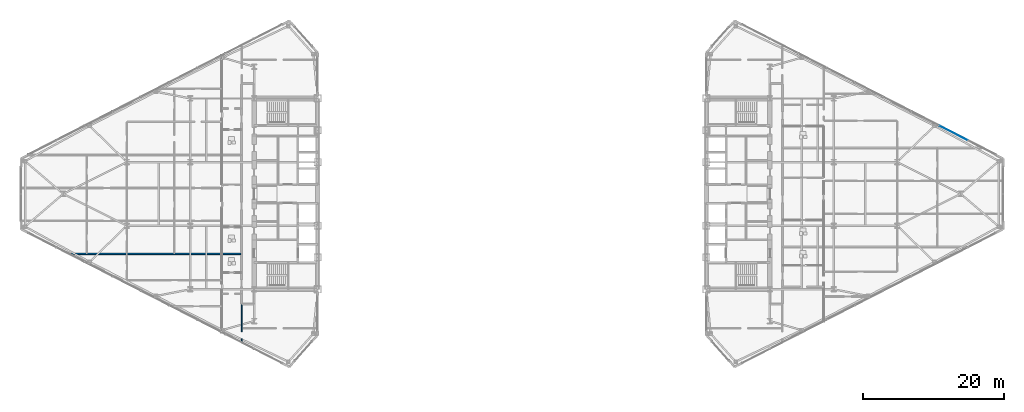
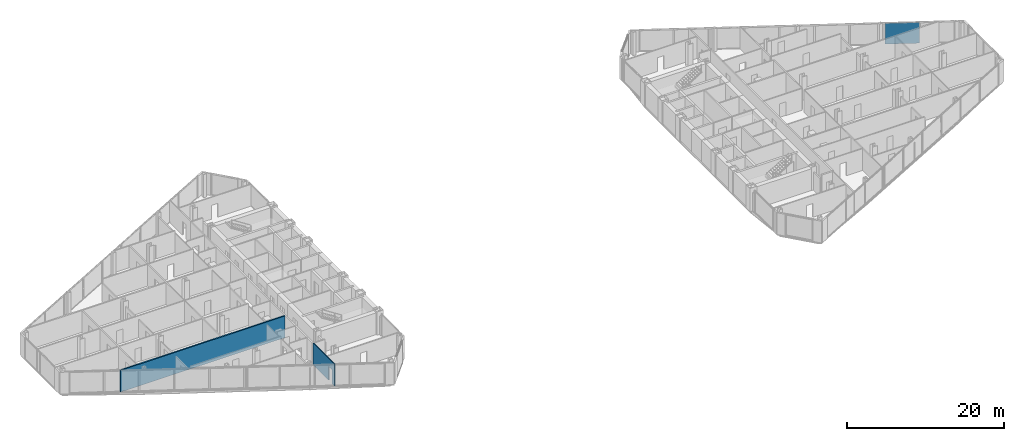
# One storey, part 15 of 24: 2 walls, 1 plate, 1 opening, 1 element without a shape of its own.
"""IFC4 building model written with IfcOpenShell, lengths in metres."""

from ifc_helpers import new_model, si_unit, direction, frame, frame_2d, origin, origin_2d, place, context, subcontext, project, spatial, rectangle, extrude, source, transform, mapped, material, layer, layer_set, type_object, type_shapes, element, aggregate, save


model = new_model("IFC4")

# Units and contexts
model_context = context("Model", 3, precision=1e-05, world=origin(), true_north=direction((0.0, 1.0)))
body_context = subcontext(model_context, "Body", "Model", "MODEL_VIEW")
ifc_project = project(units=[si_unit("LENGTHUNIT", "METRE"), si_unit("AREAUNIT", "SQUARE_METRE"), si_unit("VOLUMEUNIT", "CUBIC_METRE"), si_unit("PLANEANGLEUNIT", "RADIAN"), si_unit("MASSUNIT", "GRAM", prefix="KILO")], contexts=[model_context])

# Site, building, storey
site_placement = place(None, origin())
site = spatial("IfcSite", under=ifc_project, at=site_placement, CompositionType="ELEMENT")
building_placement = place(site_placement, origin())
building = spatial("IfcBuilding", under=site, at=building_placement, Name="Seokmaru Belvedere", CompositionType="ELEMENT")
storey_placement = place(building_placement, frame((0.0, 0.0, 114.0)))
storey = spatial("IfcBuildingStorey", under=building, at=storey_placement, Name="L30", CompositionType="ELEMENT", Elevation=114.0)

# Curtain wall, plate
ifc_material_1 = material(Name="Bronze Triple Insulating Glass", Category="glass")
ifc_layer_1 = layer(ifc_material_1, 0.195068359375)
ifc_layer_set_1 = layer_set([ifc_layer_1], Name="Bronze Triple Insulating Glass")
curtain_wall_type = type_object("IfcCurtainWallType", Name="Sky-Lobby and Mid-Rise Curtain Wall System CW-4", PredefinedType="NOTDEFINED", material=ifc_layer_set_1)
curtain_wall_placement = place(storey_placement, origin())
curtain_wall = element("IfcCurtainWall", 1, at=curtain_wall_placement, inside=storey, type_object=curtain_wall_type, Name="L30 Curtain Wall EF3", PredefinedType="NOTDEFINED")
ifc_layer_2 = layer(ifc_material_1, 0.035888671875)
ifc_layer_set_2 = layer_set([ifc_layer_2], Name="Bronze Triple Insulating Glass")
plate_type = type_object("IfcPlateType", Name="Bronze Triple Vision Glazing Panel 36", PredefinedType="CURTAIN_PANEL", material=ifc_layer_set_2)
shared_shape = source(origin(), body_context, "Body", "SweptSolid", [
    extrude(rectangle(XDim=4.420166015625, YDim=0.035888671875, at=origin_2d()), origin(), (0.0, 0.0, 1.0), 3.25),
])
type_shapes(plate_type, [shared_shape])
plate_placement = place(storey_placement, frame((62.484619140625, 8.60009765625, 0.06494140625), z_axis=(0.0, 0.0, 1.0), x_axis=(-0.889695432562, 0.456554528263, 0.0)))
plate = element("IfcPlate", 2, at=plate_placement, type_object=plate_type, Name="CW:L30:EF3 Glazing Panel 2-1", PredefinedType="CURTAIN_PANEL", context=body_context, shape_type="MappedRepresentation", body=[
    mapped(shared_shape, transform((0.0, 0.0, 0.0), scale=1.0)),
])
aggregate(curtain_wall, [plate])

# Wall, opening
ifc_material_2 = material(Name="Fire-Rated Gypsum Shaftwall")
ifc_layer_3 = layer(ifc_material_2, 0.14990234375)
ifc_layer_set_3 = layer_set([ifc_layer_3], Name="Fire-Rated Gypsum Shaftwall")
wall_type_1 = type_object("IfcWallType", Name="Apartment Fire-Acoustic Room Partition 150", PredefinedType="PARTITIONING", material=ifc_layer_set_3)
wall_1_placement = place(storey_placement, frame((-38.25, -21.071044921875, 0.0), z_axis=(0.0, 0.0, 1.0), x_axis=(0.0, 1.0, 0.0)))
wall_1 = element("IfcWall", 3, at=wall_1_placement, inside=storey, type_object=wall_type_1, Name="L30 Interior Partition 043", PredefinedType="PARTITIONING", context=body_context, shape_type="SweptSolid", body=[
    extrude(rectangle(XDim=5.421142578125, YDim=0.14990234375, at=frame_2d((2.71044921875, 0.0))), origin(), (0.0, 0.0, 1.0), 3.3798828125),
])
opening_placement = place(wall_1_placement, frame((0.577880859375, 0.0, 0.0)))
element("IfcOpeningElement", 4, at=opening_placement, cuts=wall_1, Name="L30 Cased Opening 007", PredefinedType="OPENING", context=body_context, shape_type="SweptSolid", body=[
    extrude(rectangle(XDim=0.949951171875, YDim=2.14990234375, at=frame_2d((0.47509765625, 1.074951171875))), frame((0.0, 0.0849609375, 0.0), z_axis=(0.0, -1.0, 0.0), x_axis=(1.0, 0.0, 0.0)), (0.0, 0.0, 1.0), 0.169921875),
])

# Wall
ifc_layer_4 = layer(ifc_material_2, 0.199951171875)
ifc_layer_set_4 = layer_set([ifc_layer_4], Name="Fire-Rated Gypsum Shaftwall")
wall_type_2 = type_object("IfcWallType", Name="Inter-Tenancy Fire Compartment Partition 200", PredefinedType="PARTITIONING", material=ifc_layer_set_4)
wall_2_placement = place(storey_placement, frame((-62.68994140625, -8.5, 0.0), z_axis=(0.0, 0.0, 1.0), x_axis=(1.0, 0.0, 0.0)))
element("IfcWall", 5, at=wall_2_placement, inside=storey, type_object=wall_type_2, Name="L30 Interior Partition 013", PredefinedType="PARTITIONING", context=body_context, shape_type="SweptSolid", body=[
    extrude(rectangle(XDim=24.31005859375, YDim=0.199951171875, at=frame_2d((12.155029296875, 0.0))), origin(), (0.0, 0.0, 1.0), 3.3798828125),
])

save(model, "model.ifc")
